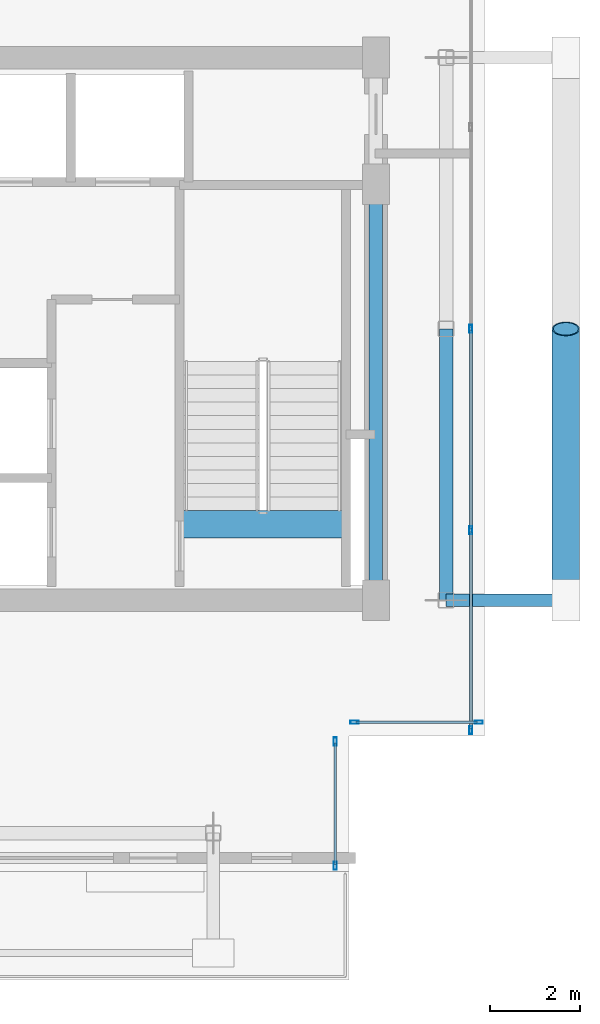
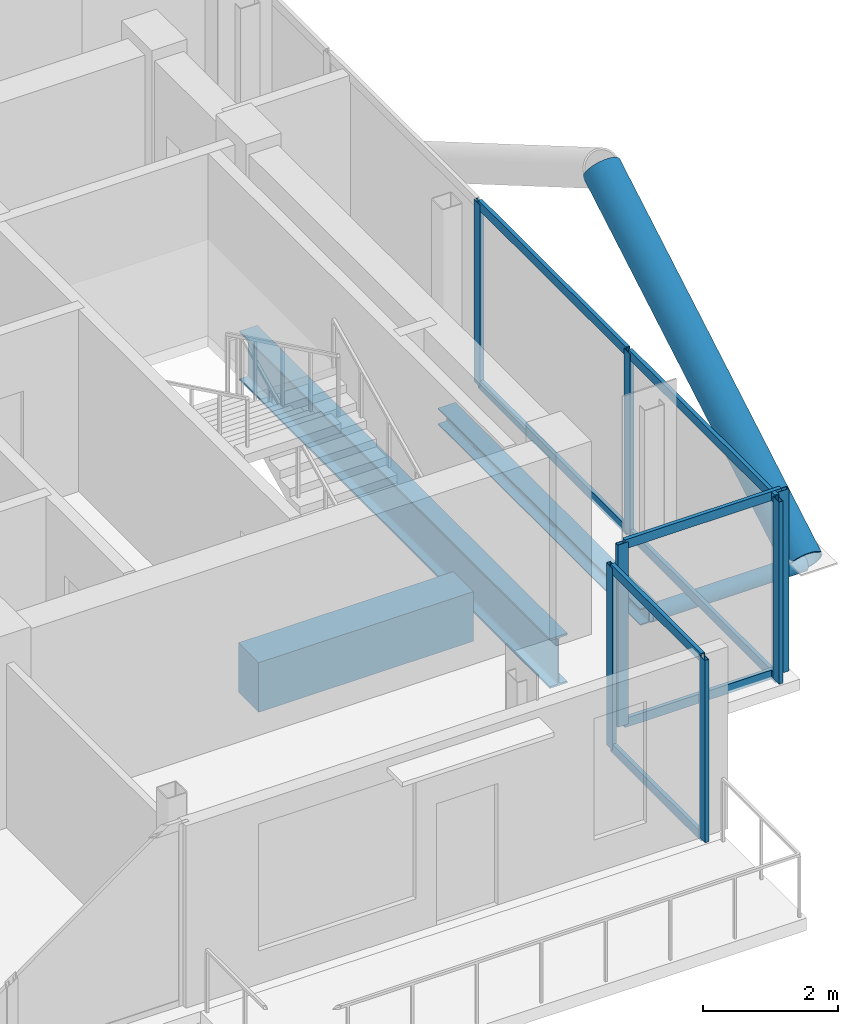
# One storey, part 12 of 19: 17 members, 3 beams, 3 elements without a shape of their own.
"""IFC4 building model written with IfcOpenShell, lengths in metres."""

from ifc_helpers import new_model, si_unit, direction, frame, origin, origin_2d, place, context, subcontext, project, spatial, rectangle, hollow_rectangle, hollow_circle, i_section, extrude, material, layer, layer_set, material_profile, profile_set, type_object, element, aggregate, save


model = new_model("IFC4")

# Units and contexts
model_context = context("Model", 3, precision=1e-05, world=origin(), true_north=direction((0.0, 1.0)))
body_context = subcontext(model_context, "Body", "Model", "MODEL_VIEW")
ifc_project = project(units=[si_unit("LENGTHUNIT", "METRE"), si_unit("AREAUNIT", "SQUARE_METRE"), si_unit("VOLUMEUNIT", "CUBIC_METRE"), si_unit("PLANEANGLEUNIT", "RADIAN"), si_unit("MASSUNIT", "GRAM", prefix="KILO"), si_unit("THERMODYNAMICTEMPERATUREUNIT", "KELVIN"), si_unit("POWERUNIT", "WATT")], contexts=[model_context])

# Site, building, storey
site_placement = place(None, origin())
site = spatial("IfcSite", under=ifc_project, at=site_placement, CompositionType="ELEMENT")
building_placement = place(site_placement, origin())
building = spatial("IfcBuilding", under=site, at=building_placement, Name="Svarakhadi Broadcast Tower", CompositionType="ELEMENT")
storey_placement = place(building_placement, frame((0.0, 0.0, 257.199951171875)))
storey = spatial("IfcBuildingStorey", under=building, at=storey_placement, Name="L64", CompositionType="ELEMENT", Elevation=257.199951171875)

# Curtain wall, members
ifc_material_1 = material(Name="Anodised Bronze Aluminium AA 6063-T6", Category="aluminium")
ifc_layer = layer(ifc_material_1, 0.179931640625)
ifc_layer_set = layer_set([ifc_layer], Name="Anodised Bronze Aluminium AA 6063-T6")
curtain_wall_type = type_object("IfcCurtainWallType", Name="CW_Sys_05", PredefinedType="NOTDEFINED", material=ifc_layer_set)
curtain_wall_1_placement = place(storey_placement, origin())
curtain_wall_1 = element("IfcCurtainWall", 1, at=curtain_wall_1_placement, inside=storey, type_object=curtain_wall_type, Name="L64 Unitised Facade Curtain Wall 12", PredefinedType="NOTDEFINED")
ifc_material_profile_1 = material_profile(ifc_material_1, hollow_rectangle(XDim=0.070068359375, YDim=0.179931640625, WallThickness=0.005615234375, at=origin_2d()), Name="ALU MULLION 180x70x6")
ifc_profile_set_1 = profile_set([ifc_material_profile_1], Name="Anodised Bronze Aluminium AA 6063-T6")
member_type_1 = type_object("IfcMemberType", Name="CW_Sys_05_Mul", PredefinedType="MULLION", material=ifc_profile_set_1)
member_1_placement = place(storey_placement, frame((35.699951171875, 12.0, 0.0), z_axis=(0.0, 0.0, 1.0), x_axis=(1.0, 0.0, 0.0)))
member_1 = element("IfcMember", 2, at=member_1_placement, type_object=member_type_1, Name="CW-05 mullion 3", PredefinedType="MULLION", context=body_context, shape_type="SweptSolid", body=[
    extrude(hollow_rectangle(XDim=0.070068359375, YDim=0.179931640625, WallThickness=0.005615234375, at=origin_2d()), origin(), (0.0, 0.0, 1.0), 3.300048828125),
])
member_2_placement = place(storey_placement, frame((35.699951171875, 7.544921875, 0.0), z_axis=(0.0, 0.0, 1.0), x_axis=(1.0, 0.0, 0.0)))
member_2 = element("IfcMember", 3, at=member_2_placement, type_object=member_type_1, Name="CW-05 mullion 4", PredefinedType="MULLION", context=body_context, shape_type="SweptSolid", body=[
    extrude(hollow_rectangle(XDim=0.070068359375, YDim=0.179931640625, WallThickness=0.005615234375, at=origin_2d()), origin(), (0.0, 0.0, 1.0), 3.300048828125),
])
member_3_placement = place(storey_placement, frame((35.699951171875, 3.125, 0.0), z_axis=(0.0, 0.0, 1.0), x_axis=(1.0, 0.0, 0.0)))
member_3 = element("IfcMember", 4, at=member_3_placement, type_object=member_type_1, Name="CW-05 mullion 5", PredefinedType="MULLION", context=body_context, shape_type="SweptSolid", body=[
    extrude(hollow_rectangle(XDim=0.070068359375, YDim=0.179931640625, WallThickness=0.005615234375, at=origin_2d()), origin(), (0.0, 0.0, 1.0), 3.300048828125),
])

curtain_wall_2_placement = place(storey_placement, origin())
curtain_wall_2 = element("IfcCurtainWall", 5, at=curtain_wall_2_placement, inside=storey, type_object=curtain_wall_type, Name="L64 Unitised Facade Curtain Wall 13", PredefinedType="NOTDEFINED")
member_4_placement = place(storey_placement, frame((35.875, 3.300048828125, 0.0), z_axis=(0.0, 0.0, 1.0), x_axis=(0.0, -1.0, 0.0)))
member_4 = element("IfcMember", 6, at=member_4_placement, type_object=member_type_1, Name="CW-05 mullion 1", PredefinedType="MULLION", context=body_context, shape_type="SweptSolid", body=[
    extrude(hollow_rectangle(XDim=0.070068359375, YDim=0.179931640625, WallThickness=0.005615234375, at=origin_2d()), origin(), (0.0, 0.0, 1.0), 3.300048828125),
])
member_5_placement = place(storey_placement, frame((33.125, 3.300048828125, 0.0), z_axis=(0.0, 0.0, 1.0), x_axis=(0.0, -1.0, 0.0)))
member_5 = element("IfcMember", 7, at=member_5_placement, type_object=member_type_1, Name="CW-05 mullion 2", PredefinedType="MULLION", context=body_context, shape_type="SweptSolid", body=[
    extrude(hollow_rectangle(XDim=0.070068359375, YDim=0.179931640625, WallThickness=0.005615234375, at=origin_2d()), origin(), (0.0, 0.0, 1.0), 3.300048828125),
])

curtain_wall_3_placement = place(storey_placement, origin())
curtain_wall_3 = element("IfcCurtainWall", 8, at=curtain_wall_3_placement, inside=storey, type_object=curtain_wall_type, Name="L64 Unitised Facade Curtain Wall 14", PredefinedType="NOTDEFINED")
member_6_placement = place(storey_placement, frame((32.699951171875, 2.875, 0.0), z_axis=(0.0, 0.0, 1.0), x_axis=(1.0, 0.0, 0.0)))
member_6 = element("IfcMember", 9, at=member_6_placement, type_object=member_type_1, Name="CW-05 mullion 1", PredefinedType="MULLION", context=body_context, shape_type="SweptSolid", body=[
    extrude(hollow_rectangle(XDim=0.070068359375, YDim=0.179931640625, WallThickness=0.005615234375, at=origin_2d()), origin(), (0.0, 0.0, 1.0), 3.300048828125),
])
member_7_placement = place(storey_placement, frame((32.699951171875, 0.125, 0.0), z_axis=(0.0, 0.0, 1.0), x_axis=(1.0, 0.0, 0.0)))
member_7 = element("IfcMember", 10, at=member_7_placement, type_object=member_type_1, Name="CW-05 mullion 2", PredefinedType="MULLION", context=body_context, shape_type="SweptSolid", body=[
    extrude(hollow_rectangle(XDim=0.070068359375, YDim=0.179931640625, WallThickness=0.005615234375, at=origin_2d()), origin(), (0.0, 0.0, 1.0), 3.300048828125),
])

# Member
ifc_material_profile_2 = material_profile(ifc_material_1, hollow_rectangle(XDim=0.06494140625, YDim=0.1650390625, WallThickness=0.0048828125, at=origin_2d()), Name="ALU TRANSOM 165x65x5")
ifc_profile_set_2 = profile_set([ifc_material_profile_2], Name="Anodised Bronze Aluminium AA 6063-T6")
member_type_2 = type_object("IfcMemberType", Name="CW_Sys_05_Trn", PredefinedType="USERDEFINED", material=ifc_profile_set_2)
member_8_placement = place(storey_placement, frame((35.699951171875, 11.965087890625, 0.032470703125), z_axis=(0.0, -1.0, 0.0), x_axis=(1.0, 0.0, 0.0)))
member_8 = element("IfcMember", 11, at=member_8_placement, type_object=member_type_2, Name="CW-05 transom 3.1", ObjectType="TRANSOM", PredefinedType="USERDEFINED", context=body_context, shape_type="SweptSolid", body=[
    extrude(hollow_rectangle(XDim=0.06494140625, YDim=0.1650390625, WallThickness=0.0048828125, at=origin_2d()), origin(), (0.0, 0.0, 1.0), 4.385009765625),
])

member_9_placement = place(storey_placement, frame((35.699951171875, 11.965087890625, 3.267578125), z_axis=(0.0, -1.0, 0.0), x_axis=(1.0, 0.0, 0.0)))
member_9 = element("IfcMember", 12, at=member_9_placement, type_object=member_type_2, Name="CW-05 transom 3.2", ObjectType="TRANSOM", PredefinedType="USERDEFINED", context=body_context, shape_type="SweptSolid", body=[
    extrude(hollow_rectangle(XDim=0.06494140625, YDim=0.1650390625, WallThickness=0.0048828125, at=origin_2d()), origin(), (0.0, 0.0, 1.0), 4.385009765625),
])

member_10_placement = place(storey_placement, frame((35.699951171875, 7.510009765625, 0.032470703125), z_axis=(0.0, -1.0, 0.0), x_axis=(1.0, 0.0, 0.0)))
member_10 = element("IfcMember", 13, at=member_10_placement, type_object=member_type_2, Name="CW-05 transom 4.1", ObjectType="TRANSOM", PredefinedType="USERDEFINED", context=body_context, shape_type="SweptSolid", body=[
    extrude(hollow_rectangle(XDim=0.06494140625, YDim=0.1650390625, WallThickness=0.0048828125, at=origin_2d()), origin(), (0.0, 0.0, 1.0), 4.35009765625),
])

member_11_placement = place(storey_placement, frame((35.699951171875, 7.510009765625, 3.267578125), z_axis=(0.0, -1.0, 0.0), x_axis=(1.0, 0.0, 0.0)))
member_11 = element("IfcMember", 14, at=member_11_placement, type_object=member_type_2, Name="CW-05 transom 4.2", ObjectType="TRANSOM", PredefinedType="USERDEFINED", context=body_context, shape_type="SweptSolid", body=[
    extrude(hollow_rectangle(XDim=0.06494140625, YDim=0.1650390625, WallThickness=0.0048828125, at=origin_2d()), origin(), (0.0, 0.0, 1.0), 4.35009765625),
])

aggregate(curtain_wall_1, [member_1, member_2, member_3, member_8, member_9, member_10, member_11])

member_12_placement = place(storey_placement, frame((35.840087890625, 3.300048828125, 0.032470703125), z_axis=(-1.0, 0.0, 0.0), x_axis=(0.0, -1.0, 0.0)))
member_12 = element("IfcMember", 15, at=member_12_placement, type_object=member_type_2, Name="CW-05 transom 1.1", ObjectType="TRANSOM", PredefinedType="USERDEFINED", context=body_context, shape_type="SweptSolid", body=[
    extrude(hollow_rectangle(XDim=0.06494140625, YDim=0.1650390625, WallThickness=0.0048828125, at=origin_2d()), origin(), (0.0, 0.0, 1.0), 2.68017578125),
])

member_13_placement = place(storey_placement, frame((35.840087890625, 3.300048828125, 3.267578125), z_axis=(-1.0, 0.0, 0.0), x_axis=(0.0, -1.0, 0.0)))
member_13 = element("IfcMember", 16, at=member_13_placement, type_object=member_type_2, Name="CW-05 transom 1.2", ObjectType="TRANSOM", PredefinedType="USERDEFINED", context=body_context, shape_type="SweptSolid", body=[
    extrude(hollow_rectangle(XDim=0.06494140625, YDim=0.1650390625, WallThickness=0.0048828125, at=origin_2d()), origin(), (0.0, 0.0, 1.0), 2.68017578125),
])

aggregate(curtain_wall_2, [member_4, member_5, member_12, member_13])

member_14_placement = place(storey_placement, frame((32.699951171875, 2.840087890625, 0.032470703125), z_axis=(0.0, -1.0, 0.0), x_axis=(1.0, 0.0, 0.0)))
member_14 = element("IfcMember", 17, at=member_14_placement, type_object=member_type_2, Name="CW-05 transom 1.1", ObjectType="TRANSOM", PredefinedType="USERDEFINED", context=body_context, shape_type="SweptSolid", body=[
    extrude(hollow_rectangle(XDim=0.06494140625, YDim=0.1650390625, WallThickness=0.0048828125, at=origin_2d()), origin(), (0.0, 0.0, 1.0), 2.68017578125),
])

member_15_placement = place(storey_placement, frame((32.699951171875, 2.840087890625, 3.267578125), z_axis=(0.0, -1.0, 0.0), x_axis=(1.0, 0.0, 0.0)))
member_15 = element("IfcMember", 18, at=member_15_placement, type_object=member_type_2, Name="CW-05 transom 1.2", ObjectType="TRANSOM", PredefinedType="USERDEFINED", context=body_context, shape_type="SweptSolid", body=[
    extrude(hollow_rectangle(XDim=0.06494140625, YDim=0.1650390625, WallThickness=0.0048828125, at=origin_2d()), origin(), (0.0, 0.0, 1.0), 2.68017578125),
])

aggregate(curtain_wall_3, [member_6, member_7, member_14, member_15])

# Beam
ifc_material_2 = material(Name="Concrete C50/60 (IS 456 M60)", Category="concrete")
ifc_material_profile_3 = material_profile(ifc_material_2, rectangle(XDim=0.60009765625, YDim=0.89990234375, at=origin_2d()), Name="RC 600x900")
ifc_profile_set_3 = profile_set([ifc_material_profile_3], Name="Concrete C50/60 (IS 456 M60)")
beam_type_1 = type_object("IfcBeamType", Name="Coupling_RC600", PredefinedType="USERDEFINED", material=ifc_profile_set_3)
beam_1_placement = place(storey_placement, frame((29.260009765625, 7.679931640625, -0.449951171875), z_axis=(1.0, 0.0, 0.0), x_axis=(0.0, 1.0, 0.0)))
element("IfcBeam", 19, at=beam_1_placement, inside=storey, type_object=beam_type_1, Name="L64 Stair ST-02 Landing Throat Trimmer Beam CB-01", ObjectType="GIRDER", PredefinedType="USERDEFINED", context=body_context, shape_type="SweptSolid", body=[
    extrude(rectangle(XDim=0.60009765625, YDim=0.89990234375, at=origin_2d()), origin(), (0.0, 0.0, 1.0), 3.679931640625),
])

# Members
ifc_material_3 = material(Name="Steel S460ML (IS 2062 E450BR)", Category="steel")
ifc_material_profile_4 = material_profile(ifc_material_3, hollow_circle(Radius=0.304931640625, WallThickness=0.030029296875, at=origin_2d()), Name="CHS 610x30")
ifc_profile_set_4 = profile_set([ifc_material_profile_4], Name="Steel S460ML (IS 2062 E450BR)")
member_type_3 = type_object("IfcMemberType", Name="Exo_Brace_CHS610", PredefinedType="BRACE", material=ifc_profile_set_4)
member_16_placement = place(storey_placement, frame((37.800048828125, 6.0, -0.33642578125), z_axis=(0.0, 0.863778900898, 0.503871025524), x_axis=(-1.0, 0.0, 0.0)))
element("IfcMember", 20, at=member_16_placement, inside=storey, type_object=member_type_3, Name="L64 Exposed Bronze Exoskeleton Diagonal E04", PredefinedType="BRACE", context=body_context, shape_type="SweptSolid", body=[
    extrude(hollow_circle(Radius=0.304931640625, WallThickness=0.030029296875, at=origin_2d()), origin(), (0.0, 0.0, 1.0), 6.9462890625),
])
ifc_material_profile_5 = material_profile(ifc_material_3, hollow_circle(Radius=0.136474609375, WallThickness=0.012451171875, at=origin_2d()), Name="CHS 273x12.5")
ifc_profile_set_5 = profile_set([ifc_material_profile_5], Name="Steel S460ML (IS 2062 E450BR)")
member_type_4 = type_object("IfcMemberType", Name="Exo_Radial_Strut_Z3", PredefinedType="STRUT", material=ifc_profile_set_5)
member_17_placement = place(storey_placement, frame((37.800048828125, 6.0, -0.33642578125), z_axis=(-1.0, 0.0, 0.0), x_axis=(0.0, -1.0, 0.0)))
element("IfcMember", 21, at=member_17_placement, inside=storey, type_object=member_type_4, Name="L64 Exoskeleton Radial Tie Strut E05", PredefinedType="STRUT", context=body_context, shape_type="SweptSolid", body=[
    extrude(hollow_circle(Radius=0.136474609375, WallThickness=0.012451171875, at=origin_2d()), origin(), (0.0, 0.0, 1.0), 2.650146484375),
])

# Beams
ifc_material_4 = material(Name="Steel S355J2 (IS 2062 E350C)", Category="steel")
ifc_material_profile_6 = material_profile(ifc_material_4, i_section(OverallWidth=0.300048828125, OverallDepth=0.300048828125, WebThickness=0.010986328125, FlangeThickness=0.01904296875, FilletRadius=0.027099609375, at=origin_2d()), Name="WPB 300x300x117")
ifc_profile_set_6 = profile_set([ifc_material_profile_6], Name="Steel S355J2 (IS 2062 E350C)")
beam_type_2 = type_object("IfcBeamType", Name="Girder_WPB300", PredefinedType="USERDEFINED", material=ifc_profile_set_6)
beam_2_placement = place(storey_placement, frame((35.14990234375, 6.0, -0.349853515625), z_axis=(0.0, 1.0, 0.0), x_axis=(-1.0, 0.0, 0.0)))
element("IfcBeam", 22, at=beam_2_placement, inside=storey, type_object=beam_type_2, Name="L64 Primary N-S Girder G045", ObjectType="GIRDER", PredefinedType="USERDEFINED", context=body_context, shape_type="SweptSolid", body=[
    extrude(i_section(OverallWidth=0.300048828125, OverallDepth=0.300048828125, WebThickness=0.010986328125, FlangeThickness=0.01904296875, FilletRadius=0.027099609375, at=origin_2d()), origin(), (0.0, 0.0, 1.0), 6.0),
])
ifc_material_profile_7 = material_profile(ifc_material_3, i_section(OverallWidth=0.300048828125, OverallDepth=0.89990234375, WebThickness=0.0185546875, FlangeThickness=0.034912109375, FilletRadius=0.030029296875, at=origin_2d()), Name="WPB 900x300x291")
ifc_profile_set_7 = profile_set([ifc_material_profile_7], Name="Steel S460ML (IS 2062 E450BR)")
beam_type_3 = type_object("IfcBeamType", Name="Girder_WPB900", PredefinedType="USERDEFINED", material=ifc_profile_set_7)
beam_3_placement = place(storey_placement, frame((33.60009765625, 6.0, -0.64990234375), z_axis=(0.0, 1.0, 0.0), x_axis=(-1.0, 0.0, 0.0)))
element("IfcBeam", 23, at=beam_3_placement, inside=storey, type_object=beam_type_3, Name="L64 Primary N-S Girder G043", ObjectType="GIRDER", PredefinedType="USERDEFINED", context=body_context, shape_type="SweptSolid", body=[
    extrude(i_section(OverallWidth=0.300048828125, OverallDepth=0.89990234375, WebThickness=0.0185546875, FlangeThickness=0.034912109375, FilletRadius=0.030029296875, at=origin_2d()), origin(), (0.0, 0.0, 1.0), 9.199951171875),
])

save(model, "model.ifc")
